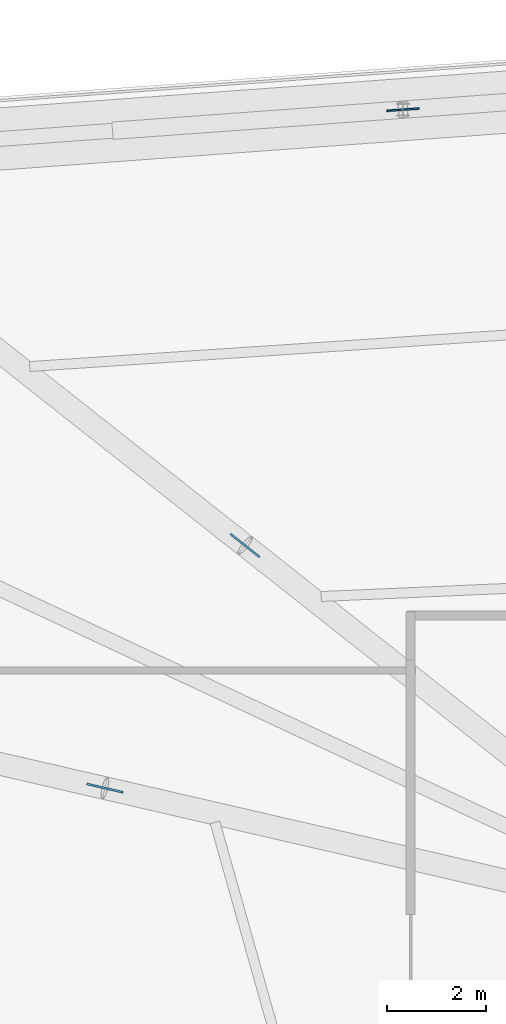
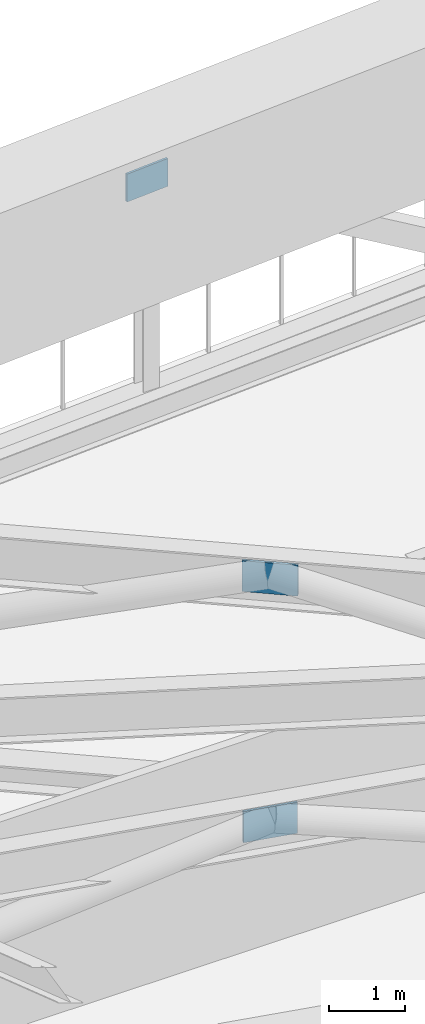
# One storey, part 14 of 27: 3 plates.
"""IFC4 building model written with IfcOpenShell, lengths in metres."""

from ifc_helpers import new_model, si_unit, direction, frame, origin, origin_2d, place, context, subcontext, project, spatial, rectangle, extrude, source, transform, mapped, material, layer, layer_set, type_object, element, save


model = new_model("IFC4")

# Units and contexts
model_context = context("Model", 3, precision=1e-05, world=origin(), true_north=direction((0.0, 1.0)))
body_context = subcontext(model_context, "Body", "Model", "MODEL_VIEW")
ifc_project = project(units=[si_unit("LENGTHUNIT", "METRE"), si_unit("AREAUNIT", "SQUARE_METRE"), si_unit("VOLUMEUNIT", "CUBIC_METRE"), si_unit("PLANEANGLEUNIT", "RADIAN"), si_unit("MASSUNIT", "GRAM", prefix="KILO")], contexts=[model_context])

# Site, building, storey
site_placement = place(None, origin())
site = spatial("IfcSite", under=ifc_project, at=site_placement, CompositionType="ELEMENT")
building_placement = place(site_placement, origin())
building = spatial("IfcBuilding", under=site, at=building_placement, Name="Liaohun Quay Tower", CompositionType="ELEMENT")
storey_placement = place(building_placement, frame((0.0, 0.0, 185.25)))
storey = spatial("IfcBuildingStorey", under=building, at=storey_placement, Name="L48", CompositionType="ELEMENT", Elevation=185.25)

# Plates
ifc_material = material(Name="Steel Q420D outrigger node gusset plate", Category="steel")
ifc_layer = layer(ifc_material, 0.0400390625, Name="Steel Q420D outrigger node gusset plate", Category="steel")
ifc_layer_set = layer_set([ifc_layer], Name="Steel Q420D outrigger node gusset plate")
plate_type = type_object("IfcPlateType", Name="PLT-GUS-OUT", PredefinedType="USERDEFINED", material=ifc_layer_set)
shared_shape_1 = source(origin(), body_context, "Body", "SweptSolid", [
    extrude(rectangle(XDim=0.75, YDim=0.0400390625, at=origin_2d()), origin(), (0.0, 0.0, 1.0), 0.5),
])
for number, where, z_axis, x_axis, name in (
    (1, (38.2900390625, 64.43505859375, 3.570068359375), (0.0, 0.0, 1.0), (-0.974370064785, 0.224951054344, 0.0), "L48 Outrigger Node Gusset Plate GP1-02"),
    (2, (41.10693359375, 69.31591796875, 3.570068359375), (0.0, 0.0, 1.0), (-0.784668186733, 0.61991599167, 0.0), "L48 Outrigger Node Gusset Plate GP1-03"),
):
    element("IfcPlate", number, at=place(storey_placement, frame(where, z_axis=z_axis, x_axis=x_axis)), inside=storey, type_object=plate_type, Name=name, ObjectType="GUSSET PLATE", PredefinedType="USERDEFINED", context=body_context, shape_type="MappedRepresentation", body=[
        mapped(shared_shape_1, transform((0.0, 0.0, 0.0), x_axis=(1.0, 0.0, 0.0), y_axis=(0.0, 1.0, 0.0), z_axis=(0.0, 0.0, 1.0), scale=1.0)),
    ])
shared_shape_2 = source(origin(), body_context, "Body", "SweptSolid", [
    extrude(rectangle(XDim=0.64990234375, YDim=0.035888671875, at=origin_2d()), origin(), (0.0, 0.0, 1.0), 0.449951171875),
])
plate_placement = place(storey_placement, frame((44.284912109375, 78.08203125, 3.59521484375), z_axis=(0.0, 0.0, 1.0), x_axis=(0.997365364088, 0.072541922484, 0.0)))
element("IfcPlate", 3, at=plate_placement, inside=storey, type_object=plate_type, Name="L48 Belt Truss Node Gusset Plate GP1-B03", ObjectType="GUSSET PLATE", PredefinedType="USERDEFINED", context=body_context, shape_type="MappedRepresentation", body=[
    mapped(shared_shape_2, transform((0.0, 0.0, 0.0), x_axis=(1.0, 0.0, 0.0), y_axis=(0.0, 1.0, 0.0), z_axis=(0.0, 0.0, 1.0), scale=1.0)),
])

save(model, "model.ifc")
